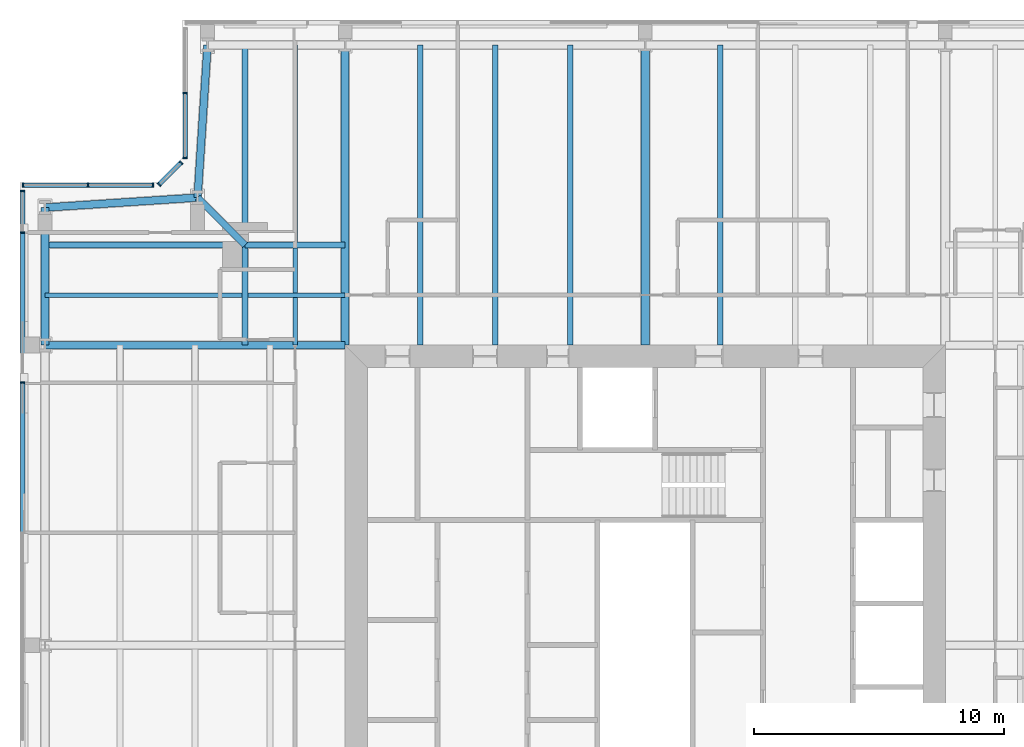
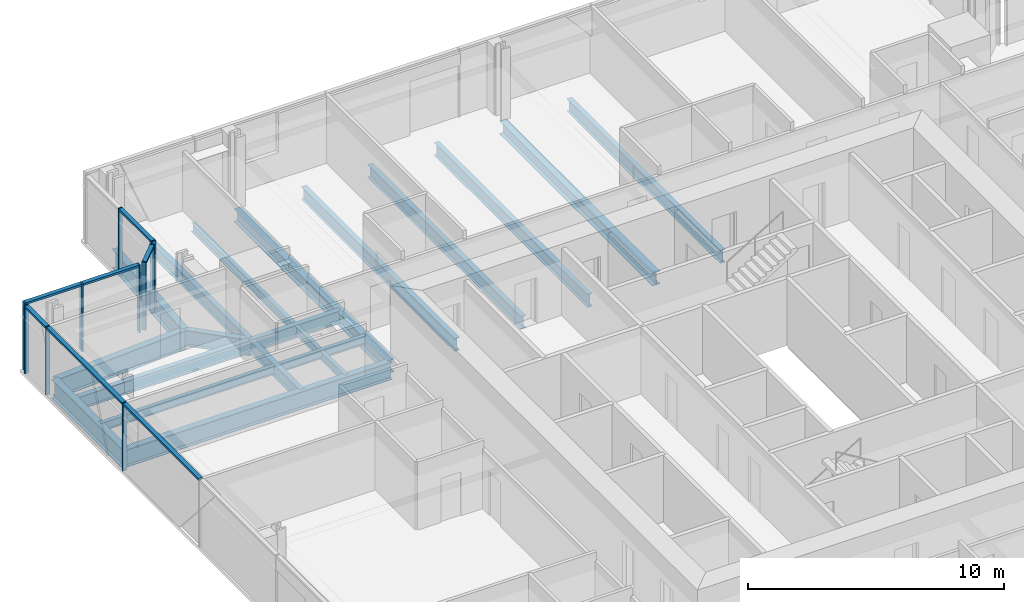
# One storey, part 7 of 19: 20 beams, 17 members, 4 elements without a shape of their own.
"""IFC4 building model written with IfcOpenShell, lengths in metres."""

import ifcopenshell
import ifcopenshell.guid

model = None  # the IFC model being written
_history = None  # IfcOwnerHistory: only IFC2X3 demands one
_inside = {}  # id of a spatial element -> (the spatial element, [elements in it])
_under = {}  # id of a project, library or spatial element -> (it, [spatial elements below it])
_declared = {}  # id of a project -> (the project, [libraries it declares])
_typed = {}  # id of a type object -> (the type object, [elements of that type])
_made_of = {}  # id of a material, layer set ... -> (it, [elements and type objects made of it])


def new_model(schema):
    """Start an empty IFC model of exactly this schema.

    Asked for "IFC4X3", IfcOpenShell would pick the latest addendum, in which some entities
    have other attributes; the version numbers below select the first issue.
    IFC2X3 requires an IfcOwnerHistory on every rooted entity: one is made here for all.
    """
    global model, _history
    if schema == "IFC4X3":
        model = ifcopenshell.file(schema_version=(4, 3, 0, 0))
    else:
        model = ifcopenshell.file(schema=schema)
    _inside.clear()
    _under.clear()
    _declared.clear()
    _typed.clear()
    _made_of.clear()
    _history = None
    if model.schema == "IFC2X3":
        org = make("IfcOrganization", Name="unknown")
        user = make(
            "IfcPersonAndOrganization",
            ThePerson=make("IfcPerson", FamilyName="unknown"),
            TheOrganization=org,
        )
        app = make(
            "IfcApplication",
            ApplicationDeveloper=org,
            Version="unknown",
            ApplicationFullName="unknown",
            ApplicationIdentifier="unknown",
        )
        _history = make(
            "IfcOwnerHistory",
            OwningUser=user,
            OwningApplication=app,
            ChangeAction="ADDED",
            CreationDate=0,
        )
    return model


def make(cls, **values):
    """One entity of the class cls with the attributes given. An attribute that is None is left unset."""
    return model.create_entity(
        cls, **{name: value for name, value in values.items() if value is not None}
    )


def rooted(cls, **values):
    """An entity with a GlobalId (a new one), such as an element, a storey or a relation."""
    return make(cls, GlobalId=ifcopenshell.guid.new(), OwnerHistory=_history, **values)


def si_unit(unit_type, name, prefix=None):
    """IfcSIUnit, for example si_unit("LENGTHUNIT", "METRE", prefix="MILLI")."""
    return make("IfcSIUnit", UnitType=unit_type, Prefix=prefix, Name=name)


def assignment(units):
    """IfcUnitAssignment: the units of a project."""
    return None if units is None else make("IfcUnitAssignment", Units=units)


def point(xyz):
    """IfcCartesianPoint."""
    return None if xyz is None else make("IfcCartesianPoint", Coordinates=xyz)


def direction(xyz):
    """IfcDirection."""
    return None if xyz is None else make("IfcDirection", DirectionRatios=xyz)


def frame(location, z_axis=None, x_axis=None):
    """IfcAxis2Placement3D, a coordinate frame: its origin and axes. An axis left out is left unset."""
    return make(
        "IfcAxis2Placement3D",
        Location=point(location),
        Axis=direction(z_axis),
        RefDirection=direction(x_axis),
    )


def frame_2d(location, x_axis=None):
    """IfcAxis2Placement2D, a coordinate frame in the plane: its origin and x axis."""
    return make(
        "IfcAxis2Placement2D", Location=point(location), RefDirection=direction(x_axis)
    )


def origin():
    """The frame at (0, 0, 0) with its axes left unset."""
    return frame((0.0, 0.0, 0.0))


def origin_2d():
    """The frame at (0, 0) in the plane with its x axis left unset."""
    return frame_2d((0.0, 0.0))


def place(relative_to, where):
    """IfcLocalPlacement: puts the frame where relative to a parent placement (None: the world)."""
    return make(
        "IfcLocalPlacement", PlacementRelTo=relative_to, RelativePlacement=where
    )


def context(
    kind, dimensions, precision=None, world=None, true_north=None, identifier=None
):
    """IfcGeometricRepresentationContext, for example the 3D "Model" context."""
    return make(
        "IfcGeometricRepresentationContext",
        ContextIdentifier=identifier,
        ContextType=kind,
        CoordinateSpaceDimension=dimensions,
        Precision=precision,
        WorldCoordinateSystem=world,
        TrueNorth=true_north,
    )


def subcontext(parent, identifier, kind, view, scale=None):
    """IfcGeometricRepresentationSubContext, for example "Body" below "Model"."""
    return make(
        "IfcGeometricRepresentationSubContext",
        ContextIdentifier=identifier,
        ContextType=kind,
        ParentContext=parent,
        TargetScale=scale,
        TargetView=view,
    )


def project(units=None, contexts=None):
    """IfcProject with its units and contexts."""
    return rooted(
        "IfcProject",
        Name="project",
        RepresentationContexts=contexts,
        UnitsInContext=assignment(units),
    )


def spatial(cls, under=None, at=None, **own):
    """A site, building, storey or space (cls), placed at a placement, below another one or the project."""
    s = rooted(cls, ObjectPlacement=at, **own)
    if under is not None:
        _under.setdefault(under.id(), (under, []))[1].append(s)
    return s


def profile(cls, at=None, kind="AREA", **sizes):
    """A parametric profile (cls). Its sizes go by their IFC names, for example OverallWidth=200.0."""
    return make(cls, ProfileType=kind, Position=at, **sizes)


def rectangle(**sizes):
    """IfcRectangleProfileDef."""
    return profile("IfcRectangleProfileDef", **sizes)


def i_section(**sizes):
    """IfcIShapeProfileDef."""
    return profile("IfcIShapeProfileDef", **sizes)


def extrude(swept, where, along, depth):
    """IfcExtrudedAreaSolid: the profile swept, set in the frame where, extruded along a direction by depth."""
    return make(
        "IfcExtrudedAreaSolid",
        SweptArea=swept,
        Position=where,
        ExtrudedDirection=direction(along),
        Depth=depth,
    )


def shape(context_of_items, identifier, shape_type, items):
    """IfcShapeRepresentation: the items that make up one representation, for example the "Body"."""
    return make(
        "IfcShapeRepresentation",
        ContextOfItems=context_of_items,
        RepresentationIdentifier=identifier,
        RepresentationType=shape_type,
        Items=items,
    )


def material(Name=None, Category=None):
    """IfcMaterial."""
    return make("IfcMaterial", Name=Name, Category=Category)


def material_profile(
    of_material, cross_section, Name=None, Category=None, Priority=None
):
    """IfcMaterialProfile: a cross section and its material."""
    return make(
        "IfcMaterialProfile",
        Name=Name,
        Material=of_material,
        Profile=cross_section,
        Priority=Priority,
        Category=Category,
    )


def profile_set(profiles, Name=None, composite=None):
    """IfcMaterialProfileSet."""
    return make(
        "IfcMaterialProfileSet",
        Name=Name,
        MaterialProfiles=profiles,
        CompositeProfile=composite,
    )


def made_of(thing, what):
    """Note that an element or type object is made of a material, layer set ...; save() writes the relation."""
    if what is not None:
        _made_of.setdefault(what.id(), (what, []))[1].append(thing)
    return thing


def type_object(cls, material=None, **own):
    """A type object (cls), such as IfcWallType, which elements share."""
    return made_of(rooted(cls, **own), material)


def element(
    cls,
    number,
    at=None,
    inside=None,
    cuts=None,
    type_object=None,
    material=None,
    context=None,
    identifier="Body",
    shape_type=None,
    held_by="IfcProductDefinitionShape",
    body=None,
    shapes=None,
    **own,
):
    """One element of the class cls, such as IfcWall. Its Tag is "e" and its number.

    at: its placement. inside: the storey or other place that contains it. cuts: it is an
    opening in that element (IfcRelVoidsElement). A single representation is given by context,
    identifier, shape_type and body (its items); several are given by shapes. held_by: the class
    of the entity that holds the representations. save() writes the other relations.
    """
    e = rooted(cls, Tag="e%d" % number, ObjectPlacement=at, **own)
    if body is not None:
        shapes = [shape(context, identifier, shape_type, body)]
    if shapes is not None:
        e.Representation = make(held_by, Representations=shapes)
    if inside is not None:
        _inside.setdefault(inside.id(), (inside, []))[1].append(e)
    if cuts is not None:
        rooted(
            "IfcRelVoidsElement", RelatingBuildingElement=cuts, RelatedOpeningElement=e
        )
    if type_object is not None:
        _typed.setdefault(type_object.id(), (type_object, []))[1].append(e)
    return made_of(e, material)


def aggregate(whole, parts):
    """IfcRelAggregates: a whole, such as a stair, and the parts it consists of."""
    return rooted("IfcRelAggregates", RelatingObject=whole, RelatedObjects=parts)


def save(model, path):
    """Write the relations noted so far, then the file.

    IfcRelAggregates (storeys below a building ...), IfcRelContainedInSpatialStructure (elements
    in a storey), IfcRelDefinesByType, IfcRelAssociatesMaterial and IfcRelDeclares: one each for
    every whole, place, type object, material and project.
    """
    for whole, parts in _under.values():
        aggregate(whole, parts)
    for where, things in _inside.values():
        rooted(
            "IfcRelContainedInSpatialStructure",
            RelatedElements=things,
            RelatingStructure=where,
        )
    for kind, things in _typed.values():
        rooted("IfcRelDefinesByType", RelatedObjects=things, RelatingType=kind)
    for what, things in _made_of.values():
        rooted("IfcRelAssociatesMaterial", RelatedObjects=things, RelatingMaterial=what)
    for by, libraries in _declared.values():
        rooted("IfcRelDeclares", RelatingContext=by, RelatedDefinitions=libraries)
    model.write(path)


model = new_model("IFC4")

# Units and contexts
model_context = context("Model", 3, precision=1e-05, world=origin(), true_north=direction((0.0, 1.0)))
body_context = subcontext(model_context, "Body", "Model", "MODEL_VIEW")
ifc_project = project(units=[si_unit("LENGTHUNIT", "METRE"), si_unit("AREAUNIT", "SQUARE_METRE"), si_unit("VOLUMEUNIT", "CUBIC_METRE"), si_unit("PLANEANGLEUNIT", "RADIAN"), si_unit("MASSUNIT", "GRAM", prefix="KILO")], contexts=[model_context])

# Site, building, storey
site_placement = place(None, origin())
site = spatial("IfcSite", under=ifc_project, at=site_placement, CompositionType="ELEMENT")
building_placement = place(site_placement, origin())
building = spatial("IfcBuilding", under=site, at=building_placement, Name="Fenwick Lantern Interchange", CompositionType="ELEMENT")
storey_placement = place(building_placement, frame((0.0, 0.0, 273.0)))
storey = spatial("IfcBuildingStorey", under=building, at=storey_placement, Name="L65", CompositionType="ELEMENT", Elevation=273.0)

# Beams
ifc_material_1 = material(Name="Steel ASTM A992 Grade 50", Category="steel")
ifc_material_profile_1 = material_profile(ifc_material_1, i_section(OverallWidth=0.3046875, OverallDepth=0.911865234375, WebThickness=0.015869140625, FlangeThickness=0.02392578125, at=origin_2d()), Name="W36X150")
ifc_profile_set_1 = profile_set([ifc_material_profile_1], Name="Steel ASTM A992 Grade 50")
beam_type_1 = type_object("IfcBeamType", Name="EDGE BEAM W36X150", PredefinedType="SPANDREL", material=ifc_profile_set_1)
for number, where, z_axis, x_axis, name in (
    (1, (7.5, 49.0, -0.60595703125), (-0.065416293237, -0.997858060337, 0.0), (0.997858060337, -0.065416293237, 0.0), "L65/FR/N/EBR1"),
    (2, (7.10009765625, 42.89990234375, -0.60595703125), (-0.997858060337, -0.065416293237, 0.0), (0.065416293237, -0.997858060337, 0.0), "L65/FR/N/EBR2"),
):
    element("IfcBeam", number, at=place(storey_placement, frame(where, z_axis=z_axis, x_axis=x_axis)), inside=storey, type_object=beam_type_1, Name=name, PredefinedType="SPANDREL", context=body_context, shape_type="SweptSolid", body=[
        extrude(i_section(OverallWidth=0.3046875, OverallDepth=0.911865234375, WebThickness=0.015869140625, FlangeThickness=0.02392578125, at=origin_2d()), origin(), (0.0, 0.0, 1.0), 6.11328125),
    ])
beam_1_placement = place(storey_placement, frame((1.0, 42.5, -0.60595703125), z_axis=(0.0, -1.0, 0.0), x_axis=(1.0, 0.0, 0.0)))
element("IfcBeam", 3, at=beam_1_placement, inside=storey, type_object=beam_type_1, Name="L65/FR/W/EB1", PredefinedType="SPANDREL", context=body_context, shape_type="SweptSolid", body=[
    extrude(i_section(OverallWidth=0.3046875, OverallDepth=0.911865234375, WebThickness=0.015869140625, FlangeThickness=0.02392578125, at=origin_2d()), origin(), (0.0, 0.0, 1.0), 5.5),
])
ifc_material_profile_2 = material_profile(ifc_material_1, i_section(OverallWidth=0.22900390625, OverallDepth=0.612060546875, WebThickness=0.011962890625, FlangeThickness=0.01953125, at=origin_2d()), Name="W24X84")
ifc_profile_set_2 = profile_set([ifc_material_profile_2], Name="Steel ASTM A992 Grade 50")
beam_type_2 = type_object("IfcBeamType", Name="FLOOR BEAM W24X84", PredefinedType="BEAM", material=ifc_profile_set_2)
for number, where, z_axis, x_axis, name in (
    (4, (28.0, 49.0, -0.4560546875), (0.0, -1.0, 0.0), (1.0, 0.0, 0.0), "L65/FR/N/R04"),
    (5, (22.0, 49.0, -0.4560546875), (0.0, -1.0, 0.0), (1.0, 0.0, 0.0), "L65/FR/N/R06"),
    (6, (19.0, 49.0, -0.4560546875), (0.0, -1.0, 0.0), (1.0, 0.0, 0.0), "L65/FR/N/R07"),
    (7, (16.0, 49.0, -0.4560546875), (0.0, -1.0, 0.0), (1.0, 0.0, 0.0), "L65/FR/N/R08"),
):
    element("IfcBeam", number, at=place(storey_placement, frame(where, z_axis=z_axis, x_axis=x_axis)), inside=storey, type_object=beam_type_2, Name=name, PredefinedType="BEAM", context=body_context, shape_type="SweptSolid", body=[
        extrude(i_section(OverallWidth=0.22900390625, OverallDepth=0.612060546875, WebThickness=0.011962890625, FlangeThickness=0.01953125, at=origin_2d()), origin(), (0.0, 0.0, 1.0), 12.0),
    ])

# Curtain wall, members
ifc_material_2 = material(Name="Aluminium curtain wall frame", Category="aluminium")
curtain_wall_type = type_object("IfcCurtainWallType", Name="HOTEL CURTAIN WALL", PredefinedType="USERDEFINED", material=ifc_material_2)
curtain_wall_1_placement = place(storey_placement, origin())
curtain_wall_1 = element("IfcCurtainWall", 8, at=curtain_wall_1_placement, inside=storey, type_object=curtain_wall_type, Name="Hotel curtain wall 10", ObjectType="HOTEL CURTAIN WALL", PredefinedType="USERDEFINED")
ifc_material_3 = material(Name="Aluminium extrusion", Category="aluminium")
ifc_material_profile_3 = material_profile(ifc_material_3, rectangle(XDim=0.179931640625, YDim=0.06005859375, at=origin_2d()), Name="HOTEL CURTAIN WALL MULLION 60 X 180")
ifc_profile_set_3 = profile_set([ifc_material_profile_3], Name="Aluminium extrusion")
member_type_1 = type_object("IfcMemberType", Name="HOTEL CURTAIN WALL MULLION 60 X 180", PredefinedType="MULLION", material=ifc_profile_set_3)
member_1_placement = place(storey_placement, frame((6.60009765625, 47.079345703125, 0.0), z_axis=(0.0, 0.0, 1.0), x_axis=(1.0, 0.0, 0.0)))
member_1 = element("IfcMember", 9, at=member_1_placement, type_object=member_type_1, Name="L65/CW/10/M01", PredefinedType="MULLION", context=body_context, shape_type="SweptSolid", body=[
    extrude(rectangle(XDim=0.179931640625, YDim=0.06005859375, at=origin_2d()), origin(), (0.0, 0.0, 1.0), 3.25),
])
member_2_placement = place(storey_placement, frame((6.60009765625, 44.488525390625, 0.0), z_axis=(0.0, 0.0, 1.0), x_axis=(1.0, 0.0, 0.0)))
member_2 = element("IfcMember", 10, at=member_2_placement, type_object=member_type_1, Name="L65/CW/10/M02", PredefinedType="MULLION", context=body_context, shape_type="SweptSolid", body=[
    extrude(rectangle(XDim=0.179931640625, YDim=0.06005859375, at=origin_2d()), origin(), (0.0, 0.0, 1.0), 3.25),
])

curtain_wall_2_placement = place(storey_placement, origin())
curtain_wall_2 = element("IfcCurtainWall", 11, at=curtain_wall_2_placement, inside=storey, type_object=curtain_wall_type, Name="Hotel curtain wall 11", ObjectType="HOTEL CURTAIN WALL", PredefinedType="USERDEFINED")
member_3_placement = place(storey_placement, frame((6.437255859375, 44.2958984375, 0.0), z_axis=(0.0, 0.0, 1.0), x_axis=(0.707106781187, -0.707106781187, 0.0)))
member_3 = element("IfcMember", 12, at=member_3_placement, type_object=member_type_1, Name="L65/CW/11/M00", PredefinedType="MULLION", context=body_context, shape_type="SweptSolid", body=[
    extrude(rectangle(XDim=0.179931640625, YDim=0.06005859375, at=origin_2d()), origin(), (0.0, 0.0, 1.0), 3.25),
])
member_4_placement = place(storey_placement, frame((5.562744140625, 43.421142578125, 0.0), z_axis=(0.0, 0.0, 1.0), x_axis=(0.707106781187, -0.707106781187, 0.0)))
member_4 = element("IfcMember", 13, at=member_4_placement, type_object=member_type_1, Name="L65/CW/11/M01", PredefinedType="MULLION", context=body_context, shape_type="SweptSolid", body=[
    extrude(rectangle(XDim=0.179931640625, YDim=0.06005859375, at=origin_2d()), origin(), (0.0, 0.0, 1.0), 3.25),
])

curtain_wall_3_placement = place(storey_placement, origin())
curtain_wall_3 = element("IfcCurtainWall", 14, at=curtain_wall_3_placement, inside=storey, type_object=curtain_wall_type, Name="Hotel curtain wall 12", ObjectType="HOTEL CURTAIN WALL", PredefinedType="USERDEFINED")
member_5_placement = place(storey_placement, frame((5.3115234375, 43.39990234375, 0.0), z_axis=(0.0, 0.0, 1.0), x_axis=(0.0, -1.0, 0.0)))
member_5 = element("IfcMember", 15, at=member_5_placement, type_object=member_type_1, Name="L65/CW/12/M00", PredefinedType="MULLION", context=body_context, shape_type="SweptSolid", body=[
    extrude(rectangle(XDim=0.179931640625, YDim=0.06005859375, at=origin_2d()), origin(), (0.0, 0.0, 1.0), 3.25),
])
member_6_placement = place(storey_placement, frame((2.720703125, 43.39990234375, 0.0), z_axis=(0.0, 0.0, 1.0), x_axis=(0.0, -1.0, 0.0)))
member_6 = element("IfcMember", 16, at=member_6_placement, type_object=member_type_1, Name="L65/CW/12/M01", PredefinedType="MULLION", context=body_context, shape_type="SweptSolid", body=[
    extrude(rectangle(XDim=0.179931640625, YDim=0.06005859375, at=origin_2d()), origin(), (0.0, 0.0, 1.0), 3.25),
])
member_7_placement = place(storey_placement, frame((0.1298828125, 43.39990234375, 0.0), z_axis=(0.0, 0.0, 1.0), x_axis=(0.0, -1.0, 0.0)))
member_7 = element("IfcMember", 17, at=member_7_placement, type_object=member_type_1, Name="L65/CW/12/M02", PredefinedType="MULLION", context=body_context, shape_type="SweptSolid", body=[
    extrude(rectangle(XDim=0.179931640625, YDim=0.06005859375, at=origin_2d()), origin(), (0.0, 0.0, 1.0), 3.25),
])

curtain_wall_4_placement = place(storey_placement, origin())
curtain_wall_4 = element("IfcCurtainWall", 18, at=curtain_wall_4_placement, inside=storey, type_object=curtain_wall_type, Name="Hotel curtain wall 13", ObjectType="HOTEL CURTAIN WALL", PredefinedType="USERDEFINED")
member_8_placement = place(storey_placement, frame((0.10009765625, 43.169921875, 0.0), z_axis=(0.0, 0.0, 1.0), x_axis=(1.0, 0.0, 0.0)))
member_8 = element("IfcMember", 19, at=member_8_placement, type_object=member_type_1, Name="L65/CW/13/M00", PredefinedType="MULLION", context=body_context, shape_type="SweptSolid", body=[
    extrude(rectangle(XDim=0.179931640625, YDim=0.06005859375, at=origin_2d()), origin(), (0.0, 0.0, 1.0), 3.25),
])
member_9_placement = place(storey_placement, frame((0.10009765625, 41.5, 0.0), z_axis=(0.0, 0.0, 1.0), x_axis=(1.0, 0.0, 0.0)))
member_9 = element("IfcMember", 20, at=member_9_placement, type_object=member_type_1, Name="L65/CW/13/M01", PredefinedType="MULLION", context=body_context, shape_type="SweptSolid", body=[
    extrude(rectangle(XDim=0.179931640625, YDim=0.06005859375, at=origin_2d()), origin(), (0.0, 0.0, 1.0), 3.25),
])
member_10_placement = place(storey_placement, frame((0.10009765625, 35.5, 0.0), z_axis=(0.0, 0.0, 1.0), x_axis=(1.0, 0.0, 0.0)))
member_10 = element("IfcMember", 21, at=member_10_placement, type_object=member_type_1, Name="L65/CW/13/M02", PredefinedType="MULLION", context=body_context, shape_type="SweptSolid", body=[
    extrude(rectangle(XDim=0.179931640625, YDim=0.06005859375, at=origin_2d()), origin(), (0.0, 0.0, 1.0), 3.25),
])

# Member
ifc_material_profile_4 = material_profile(ifc_material_3, rectangle(XDim=0.179931640625, YDim=0.10009765625, at=origin_2d()), Name="HOTEL CURTAIN WALL TRANSOM 100 X 180")
ifc_profile_set_4 = profile_set([ifc_material_profile_4], Name="Aluminium extrusion")
member_type_2 = type_object("IfcMemberType", Name="HOTEL CURTAIN WALL TRANSOM 100 X 180", PredefinedType="MULLION", material=ifc_profile_set_4)
member_11_placement = place(storey_placement, frame((6.60009765625, 47.04931640625, 3.199951171875), z_axis=(0.0, -1.0, 0.0), x_axis=(1.0, 0.0, 0.0)))
member_11 = element("IfcMember", 22, at=member_11_placement, type_object=member_type_2, Name="L65/CW/10/T01", PredefinedType="MULLION", context=body_context, shape_type="SweptSolid", body=[
    extrude(rectangle(XDim=0.179931640625, YDim=0.10009765625, at=origin_2d()), origin(), (0.0, 0.0, 1.0), 2.53076171875),
])

aggregate(curtain_wall_1, [member_1, member_2, member_11])

member_12_placement = place(storey_placement, frame((6.416259765625, 44.274658203125, 3.199951171875), z_axis=(-0.707210470133, -0.707003077033, 0.0), x_axis=(0.707003077033, -0.707210470133, 0.0)))
member_12 = element("IfcMember", 23, at=member_12_placement, type_object=member_type_2, Name="L65/CW/11/T00", PredefinedType="MULLION", context=body_context, shape_type="SweptSolid", body=[
    extrude(rectangle(XDim=0.179931640625, YDim=0.10009765625, at=origin_2d()), origin(), (0.0, 0.0, 1.0), 1.17724609375),
])

aggregate(curtain_wall_2, [member_3, member_4, member_12])

member_13_placement = place(storey_placement, frame((5.281494140625, 43.39990234375, 3.199951171875), z_axis=(-1.0, 0.0, 0.0), x_axis=(0.0, -1.0, 0.0)))
member_13 = element("IfcMember", 24, at=member_13_placement, type_object=member_type_2, Name="L65/CW/12/T00", PredefinedType="MULLION", context=body_context, shape_type="SweptSolid", body=[
    extrude(rectangle(XDim=0.179931640625, YDim=0.10009765625, at=origin_2d()), origin(), (0.0, 0.0, 1.0), 2.53076171875),
])

member_14_placement = place(storey_placement, frame((2.690673828125, 43.39990234375, 3.199951171875), z_axis=(-1.0, 0.0, 0.0), x_axis=(0.0, -1.0, 0.0)))
member_14 = element("IfcMember", 25, at=member_14_placement, type_object=member_type_2, Name="L65/CW/12/T01", PredefinedType="MULLION", context=body_context, shape_type="SweptSolid", body=[
    extrude(rectangle(XDim=0.179931640625, YDim=0.10009765625, at=origin_2d()), origin(), (0.0, 0.0, 1.0), 2.53076171875),
])

aggregate(curtain_wall_3, [member_5, member_6, member_7, member_13, member_14])

member_15_placement = place(storey_placement, frame((0.10009765625, 43.139892578125, 3.199951171875), z_axis=(0.0, -1.0, 0.0), x_axis=(1.0, 0.0, 0.0)))
member_15 = element("IfcMember", 26, at=member_15_placement, type_object=member_type_2, Name="L65/CW/13/T00", PredefinedType="MULLION", context=body_context, shape_type="SweptSolid", body=[
    extrude(rectangle(XDim=0.179931640625, YDim=0.10009765625, at=origin_2d()), origin(), (0.0, 0.0, 1.0), 1.60986328125),
])

member_16_placement = place(storey_placement, frame((0.10009765625, 41.469970703125, 3.199951171875), z_axis=(0.0, -1.0, 0.0), x_axis=(1.0, 0.0, 0.0)))
member_16 = element("IfcMember", 27, at=member_16_placement, type_object=member_type_2, Name="L65/CW/13/T01", PredefinedType="MULLION", context=body_context, shape_type="SweptSolid", body=[
    extrude(rectangle(XDim=0.179931640625, YDim=0.10009765625, at=origin_2d()), origin(), (0.0, 0.0, 1.0), 5.93994140625),
])

member_17_placement = place(storey_placement, frame((0.10009765625, 35.469970703125, 3.199951171875), z_axis=(0.0, -1.0, 0.0), x_axis=(1.0, 0.0, 0.0)))
member_17 = element("IfcMember", 28, at=member_17_placement, type_object=member_type_2, Name="L65/CW/13/T02", PredefinedType="MULLION", context=body_context, shape_type="SweptSolid", body=[
    extrude(rectangle(XDim=0.179931640625, YDim=0.10009765625, at=origin_2d()), origin(), (0.0, 0.0, 1.0), 5.93994140625),
])

aggregate(curtain_wall_4, [member_8, member_9, member_10, member_15, member_16, member_17])

# Beams
ifc_material_profile_5 = material_profile(ifc_material_1, i_section(OverallWidth=0.177734375, OverallDepth=0.406494140625, WebThickness=0.0078125, FlangeThickness=0.012939453125, at=origin_2d()), Name="W16X40")
ifc_profile_set_5 = profile_set([ifc_material_profile_5], Name="Steel ASTM A992 Grade 50")
beam_type_3 = type_object("IfcBeamType", Name="INFILL BEAM W16X40", PredefinedType="JOIST", material=ifc_profile_set_5)
beam_2_placement = place(storey_placement, frame((1.0, 39.0, -0.353271484375), z_axis=(1.0, 0.0, 0.0), x_axis=(0.0, 1.0, 0.0)))
element("IfcBeam", 29, at=beam_2_placement, inside=storey, type_object=beam_type_3, Name="L65/FR/W/J1", PredefinedType="JOIST", context=body_context, shape_type="SweptSolid", body=[
    extrude(i_section(OverallWidth=0.177734375, OverallDepth=0.406494140625, WebThickness=0.0078125, FlangeThickness=0.012939453125, at=origin_2d()), origin(), (0.0, 0.0, 1.0), 7.885498046875),
])
beam_3_placement = place(storey_placement, frame((9.114501953125, 39.0, -0.353271484375), z_axis=(1.0, 0.0, 0.0), x_axis=(0.0, 1.0, 0.0)))
element("IfcBeam", 30, at=beam_3_placement, inside=storey, type_object=beam_type_3, Name="L65/FR/W/J2", PredefinedType="JOIST", context=body_context, shape_type="SweptSolid", body=[
    extrude(i_section(OverallWidth=0.177734375, OverallDepth=0.406494140625, WebThickness=0.0078125, FlangeThickness=0.012939453125, at=origin_2d()), origin(), (0.0, 0.0, 1.0), 3.885498046875),
])
beam_4_placement = place(storey_placement, frame((11.0, 49.0, -0.353271484375), z_axis=(0.0, -1.0, 0.0), x_axis=(1.0, 0.0, 0.0)))
element("IfcBeam", 31, at=beam_4_placement, inside=storey, type_object=beam_type_3, Name="L65/FR/W/J3", PredefinedType="JOIST", context=body_context, shape_type="SweptSolid", body=[
    extrude(i_section(OverallWidth=0.177734375, OverallDepth=0.406494140625, WebThickness=0.0078125, FlangeThickness=0.012939453125, at=origin_2d()), origin(), (0.0, 0.0, 1.0), 7.885498046875),
])
beam_5_placement = place(storey_placement, frame((11.0, 40.885498046875, -0.353271484375), z_axis=(0.0, -1.0, 0.0), x_axis=(1.0, 0.0, 0.0)))
element("IfcBeam", 32, at=beam_5_placement, inside=storey, type_object=beam_type_3, Name="L65/FR/W/J4", PredefinedType="JOIST", context=body_context, shape_type="SweptSolid", body=[
    extrude(i_section(OverallWidth=0.177734375, OverallDepth=0.406494140625, WebThickness=0.0078125, FlangeThickness=0.012939453125, at=origin_2d()), origin(), (0.0, 0.0, 1.0), 1.796630859375),
])
beam_6_placement = place(storey_placement, frame((11.0, 38.9111328125, -0.353271484375), z_axis=(0.0, -1.0, 0.0), x_axis=(1.0, 0.0, 0.0)))
element("IfcBeam", 33, at=beam_6_placement, inside=storey, type_object=beam_type_3, Name="L65/FR/W/J5", PredefinedType="JOIST", context=body_context, shape_type="SweptSolid", body=[
    extrude(i_section(OverallWidth=0.177734375, OverallDepth=0.406494140625, WebThickness=0.0078125, FlangeThickness=0.012939453125, at=origin_2d()), origin(), (0.0, 0.0, 1.0), 1.9111328125),
])
ifc_material_profile_6 = material_profile(ifc_material_1, i_section(OverallWidth=0.22900390625, OverallDepth=0.612060546875, WebThickness=0.011962890625, FlangeThickness=0.01953125, at=origin_2d()), Name="W24X84")
ifc_profile_set_6 = profile_set([ifc_material_profile_6], Name="Steel ASTM A992 Grade 50")
beam_type_4 = type_object("IfcBeamType", Name="MEGA COLUMN BEAM W24X84", PredefinedType="BEAM", material=ifc_profile_set_6)
for number, where, z_axis, x_axis, name in (
    (34, (9.0, 41.0, -0.4560546875), (-1.0, 0.0, 0.0), (0.0, -1.0, 0.0), "L65/FR/W/MB1"),
    (35, (9.0, 41.0, -0.4560546875), (0.0, 1.0, 0.0), (-1.0, 0.0, 0.0), "L65/FR/W/MB2"),
):
    element("IfcBeam", number, at=place(storey_placement, frame(where, z_axis=z_axis, x_axis=x_axis)), inside=storey, type_object=beam_type_4, Name=name, PredefinedType="BEAM", context=body_context, shape_type="SweptSolid", body=[
        extrude(i_section(OverallWidth=0.22900390625, OverallDepth=0.612060546875, WebThickness=0.011962890625, FlangeThickness=0.01953125, at=origin_2d()), origin(), (0.0, 0.0, 1.0), 8.0),
    ])
for number, where, z_axis, x_axis, name in (
    (36, (9.0, 41.0, -0.4560546875), (0.0, -1.0, 0.0), (1.0, 0.0, 0.0), "L65/FR/W/MB3"),
    (37, (9.0, 41.0, -0.4560546875), (1.0, 0.0, 0.0), (0.0, 1.0, 0.0), "L65/FR/W/MB4"),
):
    element("IfcBeam", number, at=place(storey_placement, frame(where, z_axis=z_axis, x_axis=x_axis)), inside=storey, type_object=beam_type_4, Name=name, PredefinedType="BEAM", context=body_context, shape_type="SweptSolid", body=[
        extrude(i_section(OverallWidth=0.22900390625, OverallDepth=0.612060546875, WebThickness=0.011962890625, FlangeThickness=0.01953125, at=origin_2d()), origin(), (0.0, 0.0, 1.0), 4.0),
    ])
ifc_material_profile_7 = material_profile(ifc_material_1, i_section(OverallWidth=0.32763671875, OverallDepth=0.622314453125, WebThickness=0.015380859375, FlangeThickness=0.0244140625, at=origin_2d()), Name="W24X131")
ifc_profile_set_7 = profile_set([ifc_material_profile_7], Name="Steel ASTM A992 Grade 50")
beam_type_5 = type_object("IfcBeamType", Name="MOMENT-CONNECTED GIRDER W24X131", PredefinedType="BEAM", material=ifc_profile_set_7)
for number, where, z_axis, x_axis, name in (
    (38, (25.0, 49.0, -0.461181640625), (0.0, -1.0, 0.0), (1.0, 0.0, 0.0), "L65/FR/N/R05"),
    (39, (13.0, 49.0, -0.461181640625), (0.0, -1.0, 0.0), (1.0, 0.0, 0.0), "L65/FR/N/R09"),
):
    element("IfcBeam", number, at=place(storey_placement, frame(where, z_axis=z_axis, x_axis=x_axis)), inside=storey, type_object=beam_type_5, Name=name, PredefinedType="BEAM", context=body_context, shape_type="SweptSolid", body=[
        extrude(i_section(OverallWidth=0.32763671875, OverallDepth=0.622314453125, WebThickness=0.015380859375, FlangeThickness=0.0244140625, at=origin_2d()), origin(), (0.0, 0.0, 1.0), 12.0),
    ])
ifc_material_profile_8 = material_profile(ifc_material_1, i_section(OverallWidth=0.2919921875, OverallDepth=0.845703125, WebThickness=0.015380859375, FlangeThickness=0.0244140625, at=origin_2d()), Name="W33X141")
ifc_profile_set_8 = profile_set([ifc_material_profile_8], Name="Steel ASTM A992 Grade 50")
beam_type_6 = type_object("IfcBeamType", Name="MOMENT-CONNECTED GIRDER W33X141", PredefinedType="BEAM", material=ifc_profile_set_8)
beam_7_placement = place(storey_placement, frame((1.0, 37.0, -0.572998046875), z_axis=(1.0, 0.0, 0.0), x_axis=(0.0, 1.0, 0.0)))
element("IfcBeam", 40, at=beam_7_placement, inside=storey, type_object=beam_type_6, Name="L65/FR/W/R01", PredefinedType="BEAM", context=body_context, shape_type="SweptSolid", body=[
    extrude(i_section(OverallWidth=0.2919921875, OverallDepth=0.845703125, WebThickness=0.015380859375, FlangeThickness=0.0244140625, at=origin_2d()), origin(), (0.0, 0.0, 1.0), 12.0),
])
ifc_material_profile_9 = material_profile(ifc_material_1, i_section(OverallWidth=0.2666015625, OverallDepth=0.7568359375, WebThickness=0.013916015625, FlangeThickness=0.019287109375, at=origin_2d()), Name="W30X108")
ifc_profile_set_9 = profile_set([ifc_material_profile_9], Name="Steel ASTM A992 Grade 50")
beam_type_7 = type_object("IfcBeamType", Name="NOTCH BEAM W30X108", PredefinedType="BEAM", material=ifc_profile_set_9)
beam_8_placement = place(storey_placement, frame((9.0, 41.0, -0.528564453125), z_axis=(-0.707106781187, 0.707106781187, 0.0), x_axis=(-0.707106781187, -0.707106781187, 0.0)))
element("IfcBeam", 41, at=beam_8_placement, inside=storey, type_object=beam_type_7, Name="L65/FR/W/TG", PredefinedType="BEAM", context=body_context, shape_type="SweptSolid", body=[
    extrude(i_section(OverallWidth=0.2666015625, OverallDepth=0.7568359375, WebThickness=0.013916015625, FlangeThickness=0.019287109375, at=origin_2d()), origin(), (0.0, 0.0, 1.0), 2.686767578125),
])

save(model, "model.ifc")
